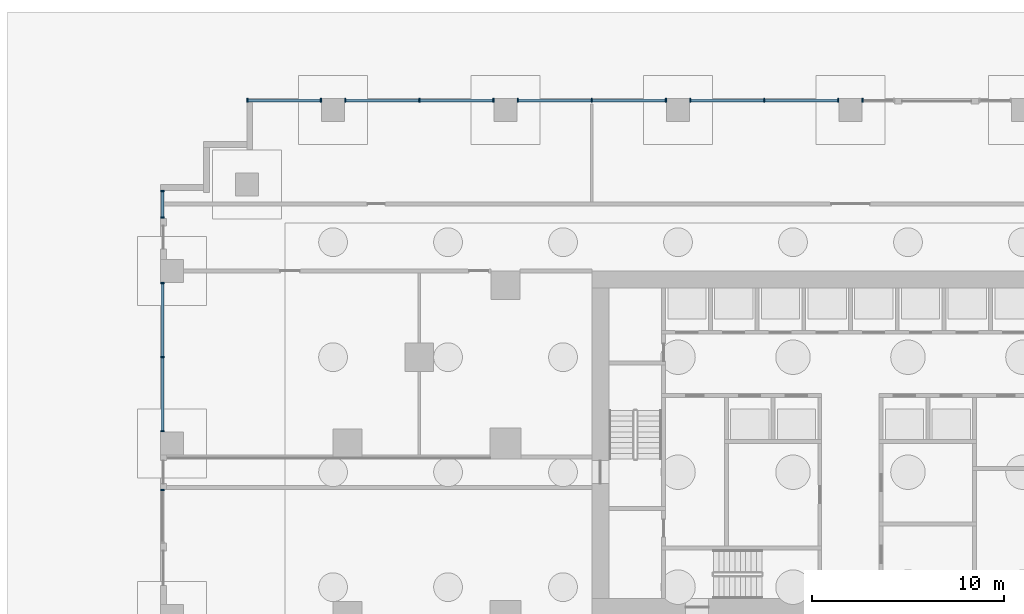
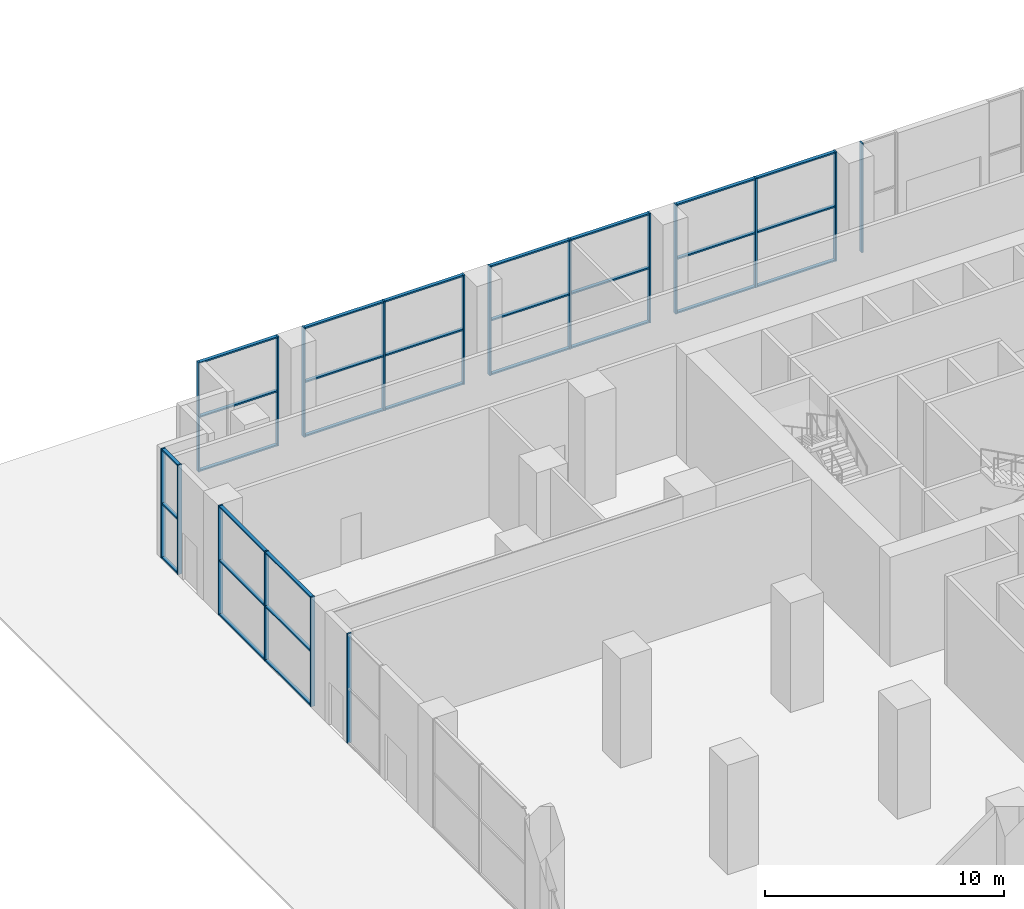
# One storey, part 7 of 20: 48 members, 8 elements without a shape of their own.
"""IFC4 building model written with IfcOpenShell, lengths in metres."""

from ifc_helpers import new_model, si_unit, direction, frame, origin, origin_2d, place, context, subcontext, project, spatial, rectangle, extrude, material, material_profile, profile_set, type_object, element, aggregate, save


model = new_model("IFC4")

# Units and contexts
model_context = context("Model", 3, precision=1e-05, world=origin(), true_north=direction((0.0, 1.0)))
body_context = subcontext(model_context, "Body", "Model", "MODEL_VIEW")
ifc_project = project(units=[si_unit("LENGTHUNIT", "METRE"), si_unit("AREAUNIT", "SQUARE_METRE"), si_unit("VOLUMEUNIT", "CUBIC_METRE"), si_unit("PLANEANGLEUNIT", "RADIAN"), si_unit("MASSUNIT", "GRAM", prefix="KILO")], contexts=[model_context])

# Site, building, storey
site_placement = place(None, origin())
site = spatial("IfcSite", under=ifc_project, at=site_placement, CompositionType="ELEMENT")
building_placement = place(site_placement, origin())
building = spatial("IfcBuilding", under=site, at=building_placement, Name="Orbiselva Terraces", CompositionType="ELEMENT")
storey_placement = place(building_placement, origin())
storey = spatial("IfcBuildingStorey", under=building, at=storey_placement, Name="L00", CompositionType="ELEMENT", Elevation=0.0)

# Curtain wall, member
ifc_material_1 = material(Name="Clear low-e glazing in aluminium frame", Category="aluminium")
curtain_wall_type = type_object("IfcCurtainWallType", Name="ENV-CW-LOBBY", PredefinedType="NOTDEFINED", material=ifc_material_1)
curtain_wall_1_placement = place(storey_placement, origin())
curtain_wall_1 = element("IfcCurtainWall", 1, at=curtain_wall_1_placement, inside=storey, type_object=curtain_wall_type, Name="Curtain wall L00 N", PredefinedType="NOTDEFINED")
ifc_material_2 = material(Name="Anodised aluminium", Category="aluminium")
ifc_material_profile_1 = material_profile(ifc_material_2, rectangle(XDim=0.2, YDim=0.075, at=origin_2d()), Name="AL 75x200")
ifc_profile_set_1 = profile_set([ifc_material_profile_1], Name="Anodised aluminium")
member_type_1 = type_object("IfcMemberType", Name="ENV-CW-LOBBY-MULLION-75x200", PredefinedType="MULLION", material=ifc_profile_set_1)
member_1_placement = place(storey_placement, frame((0.6375, 31.4, 0.0), z_axis=(0.0, 0.0, 1.0), x_axis=(0.0, -1.0, 0.0)))
member_1 = element("IfcMember", 2, at=member_1_placement, type_object=member_type_1, Name="CW1 mullion 2", PredefinedType="MULLION", context=body_context, shape_type="SweptSolid", body=[
    extrude(rectangle(XDim=0.2, YDim=0.075, at=origin_2d()), origin(), (0.0, 0.0, 1.0), 5.6),
])
aggregate(curtain_wall_1, [member_1])

# Curtain wall, members
curtain_wall_2_placement = place(storey_placement, origin())
curtain_wall_2 = element("IfcCurtainWall", 3, at=curtain_wall_2_placement, inside=storey, type_object=curtain_wall_type, Name="Curtain wall L00 N", PredefinedType="NOTDEFINED")
member_2_placement = place(storey_placement, frame((-0.6375, 31.4, 0.0), z_axis=(0.0, 0.0, 1.0), x_axis=(0.0, -1.0, 0.0)))
member_2 = element("IfcMember", 4, at=member_2_placement, type_object=member_type_1, Name="CW1 mullion 1", PredefinedType="MULLION", context=body_context, shape_type="SweptSolid", body=[
    extrude(rectangle(XDim=0.2, YDim=0.075, at=origin_2d()), origin(), (0.0, 0.0, 1.0), 5.6),
])
member_3_placement = place(storey_placement, frame((-4.5, 31.4, 0.0), z_axis=(0.0, 0.0, 1.0), x_axis=(0.0, -1.0, 0.0)))
member_3 = element("IfcMember", 5, at=member_3_placement, type_object=member_type_1, Name="CW1 mullion 2", PredefinedType="MULLION", context=body_context, shape_type="SweptSolid", body=[
    extrude(rectangle(XDim=0.2, YDim=0.075, at=origin_2d()), origin(), (0.0, 0.0, 1.0), 5.6),
])
member_4_placement = place(storey_placement, frame((-8.3625, 31.4, 0.0), z_axis=(0.0, 0.0, 1.0), x_axis=(0.0, -1.0, 0.0)))
member_4 = element("IfcMember", 6, at=member_4_placement, type_object=member_type_1, Name="CW1 mullion 3", PredefinedType="MULLION", context=body_context, shape_type="SweptSolid", body=[
    extrude(rectangle(XDim=0.2, YDim=0.075, at=origin_2d()), origin(), (0.0, 0.0, 1.0), 5.6),
])

curtain_wall_3_placement = place(storey_placement, origin())
curtain_wall_3 = element("IfcCurtainWall", 7, at=curtain_wall_3_placement, inside=storey, type_object=curtain_wall_type, Name="Curtain wall L00 N", PredefinedType="NOTDEFINED")
member_5_placement = place(storey_placement, frame((-9.6375, 31.4, 0.0), z_axis=(0.0, 0.0, 1.0), x_axis=(0.0, -1.0, 0.0)))
member_5 = element("IfcMember", 8, at=member_5_placement, type_object=member_type_1, Name="CW1 mullion 1", PredefinedType="MULLION", context=body_context, shape_type="SweptSolid", body=[
    extrude(rectangle(XDim=0.2, YDim=0.075, at=origin_2d()), origin(), (0.0, 0.0, 1.0), 5.6),
])
member_6_placement = place(storey_placement, frame((-13.5, 31.4, 0.0), z_axis=(0.0, 0.0, 1.0), x_axis=(0.0, -1.0, 0.0)))
member_6 = element("IfcMember", 9, at=member_6_placement, type_object=member_type_1, Name="CW1 mullion 2", PredefinedType="MULLION", context=body_context, shape_type="SweptSolid", body=[
    extrude(rectangle(XDim=0.2, YDim=0.075, at=origin_2d()), origin(), (0.0, 0.0, 1.0), 5.6),
])
member_7_placement = place(storey_placement, frame((-17.3625, 31.4, 0.0), z_axis=(0.0, 0.0, 1.0), x_axis=(0.0, -1.0, 0.0)))
member_7 = element("IfcMember", 10, at=member_7_placement, type_object=member_type_1, Name="CW1 mullion 3", PredefinedType="MULLION", context=body_context, shape_type="SweptSolid", body=[
    extrude(rectangle(XDim=0.2, YDim=0.075, at=origin_2d()), origin(), (0.0, 0.0, 1.0), 5.6),
])

curtain_wall_4_placement = place(storey_placement, origin())
curtain_wall_4 = element("IfcCurtainWall", 11, at=curtain_wall_4_placement, inside=storey, type_object=curtain_wall_type, Name="Curtain wall L00 N", PredefinedType="NOTDEFINED")
member_8_placement = place(storey_placement, frame((-18.6375, 31.4, 0.0), z_axis=(0.0, 0.0, 1.0), x_axis=(0.0, -1.0, 0.0)))
member_8 = element("IfcMember", 12, at=member_8_placement, type_object=member_type_1, Name="CW1 mullion 1", PredefinedType="MULLION", context=body_context, shape_type="SweptSolid", body=[
    extrude(rectangle(XDim=0.2, YDim=0.075, at=origin_2d()), origin(), (0.0, 0.0, 1.0), 5.6),
])
member_9_placement = place(storey_placement, frame((-22.5, 31.4, 0.0), z_axis=(0.0, 0.0, 1.0), x_axis=(0.0, -1.0, 0.0)))
member_9 = element("IfcMember", 13, at=member_9_placement, type_object=member_type_1, Name="CW1 mullion 2", PredefinedType="MULLION", context=body_context, shape_type="SweptSolid", body=[
    extrude(rectangle(XDim=0.2, YDim=0.075, at=origin_2d()), origin(), (0.0, 0.0, 1.0), 5.6),
])
member_10_placement = place(storey_placement, frame((-26.3625, 31.4, 0.0), z_axis=(0.0, 0.0, 1.0), x_axis=(0.0, -1.0, 0.0)))
member_10 = element("IfcMember", 14, at=member_10_placement, type_object=member_type_1, Name="CW1 mullion 3", PredefinedType="MULLION", context=body_context, shape_type="SweptSolid", body=[
    extrude(rectangle(XDim=0.2, YDim=0.075, at=origin_2d()), origin(), (0.0, 0.0, 1.0), 5.6),
])

curtain_wall_5_placement = place(storey_placement, origin())
curtain_wall_5 = element("IfcCurtainWall", 15, at=curtain_wall_5_placement, inside=storey, type_object=curtain_wall_type, Name="Curtain wall L00 N", PredefinedType="NOTDEFINED")
member_11_placement = place(storey_placement, frame((-27.6375, 31.4, 0.0), z_axis=(0.0, 0.0, 1.0), x_axis=(0.0, -1.0, 0.0)))
member_11 = element("IfcMember", 16, at=member_11_placement, type_object=member_type_1, Name="CW1 mullion 1", PredefinedType="MULLION", context=body_context, shape_type="SweptSolid", body=[
    extrude(rectangle(XDim=0.2, YDim=0.075, at=origin_2d()), origin(), (0.0, 0.0, 1.0), 5.6),
])
member_12_placement = place(storey_placement, frame((-31.4625, 31.4, 0.0), z_axis=(0.0, 0.0, 1.0), x_axis=(0.0, -1.0, 0.0)))
member_12 = element("IfcMember", 17, at=member_12_placement, type_object=member_type_1, Name="CW1 mullion 2", PredefinedType="MULLION", context=body_context, shape_type="SweptSolid", body=[
    extrude(rectangle(XDim=0.2, YDim=0.075, at=origin_2d()), origin(), (0.0, 0.0, 1.0), 5.6),
])

curtain_wall_6_placement = place(storey_placement, origin())
curtain_wall_6 = element("IfcCurtainWall", 18, at=curtain_wall_6_placement, inside=storey, type_object=curtain_wall_type, Name="Curtain wall L00 W", PredefinedType="NOTDEFINED")
member_13_placement = place(storey_placement, frame((-35.9, 26.6625, 0.0), z_axis=(0.0, 0.0, 1.0), x_axis=(1.0, 0.0, 0.0)))
member_13 = element("IfcMember", 19, at=member_13_placement, type_object=member_type_1, Name="CW1 mullion 1", PredefinedType="MULLION", context=body_context, shape_type="SweptSolid", body=[
    extrude(rectangle(XDim=0.2, YDim=0.075, at=origin_2d()), origin(), (0.0, 0.0, 1.0), 5.6),
])
member_14_placement = place(storey_placement, frame((-35.9, 25.2875, 0.0), z_axis=(0.0, 0.0, 1.0), x_axis=(1.0, 0.0, 0.0)))
member_14 = element("IfcMember", 20, at=member_14_placement, type_object=member_type_1, Name="CW1 mullion 2", PredefinedType="MULLION", context=body_context, shape_type="SweptSolid", body=[
    extrude(rectangle(XDim=0.2, YDim=0.075, at=origin_2d()), origin(), (0.0, 0.0, 1.0), 5.6),
])

curtain_wall_7_placement = place(storey_placement, origin())
curtain_wall_7 = element("IfcCurtainWall", 21, at=curtain_wall_7_placement, inside=storey, type_object=curtain_wall_type, Name="Curtain wall L00 W", PredefinedType="NOTDEFINED")
member_15_placement = place(storey_placement, frame((-35.9, 21.8625, 0.0), z_axis=(0.0, 0.0, 1.0), x_axis=(1.0, 0.0, 0.0)))
member_15 = element("IfcMember", 22, at=member_15_placement, type_object=member_type_1, Name="CW1 mullion 1", PredefinedType="MULLION", context=body_context, shape_type="SweptSolid", body=[
    extrude(rectangle(XDim=0.2, YDim=0.075, at=origin_2d()), origin(), (0.0, 0.0, 1.0), 5.6),
])
member_16_placement = place(storey_placement, frame((-35.9, 18.0, 0.0), z_axis=(0.0, 0.0, 1.0), x_axis=(1.0, 0.0, 0.0)))
member_16 = element("IfcMember", 23, at=member_16_placement, type_object=member_type_1, Name="CW1 mullion 2", PredefinedType="MULLION", context=body_context, shape_type="SweptSolid", body=[
    extrude(rectangle(XDim=0.2, YDim=0.075, at=origin_2d()), origin(), (0.0, 0.0, 1.0), 5.6),
])
member_17_placement = place(storey_placement, frame((-35.9, 14.1375, 0.0), z_axis=(0.0, 0.0, 1.0), x_axis=(1.0, 0.0, 0.0)))
member_17 = element("IfcMember", 24, at=member_17_placement, type_object=member_type_1, Name="CW1 mullion 3", PredefinedType="MULLION", context=body_context, shape_type="SweptSolid", body=[
    extrude(rectangle(XDim=0.2, YDim=0.075, at=origin_2d()), origin(), (0.0, 0.0, 1.0), 5.6),
])

# Curtain wall, member
curtain_wall_8_placement = place(storey_placement, origin())
curtain_wall_8 = element("IfcCurtainWall", 25, at=curtain_wall_8_placement, inside=storey, type_object=curtain_wall_type, Name="Curtain wall L00 W", PredefinedType="NOTDEFINED")
member_18_placement = place(storey_placement, frame((-35.9, 11.0625, 0.0), z_axis=(0.0, 0.0, 1.0), x_axis=(1.0, 0.0, 0.0)))
member_18 = element("IfcMember", 26, at=member_18_placement, type_object=member_type_1, Name="CW1 mullion 1", PredefinedType="MULLION", context=body_context, shape_type="SweptSolid", body=[
    extrude(rectangle(XDim=0.2, YDim=0.075, at=origin_2d()), origin(), (0.0, 0.0, 1.0), 5.6),
])
aggregate(curtain_wall_8, [member_18])

# Member
ifc_material_profile_2 = material_profile(ifc_material_2, rectangle(XDim=0.16, YDim=0.075, at=origin_2d()), Name="AL 75x160")
ifc_profile_set_2 = profile_set([ifc_material_profile_2], Name="Anodised aluminium")
member_type_2 = type_object("IfcMemberType", Name="ENV-CW-LOBBY-TRANSOM-75x160", PredefinedType="USERDEFINED", material=ifc_profile_set_2)
member_19_placement = place(storey_placement, frame((-0.675, 31.4, 0.0375), z_axis=(-1.0, 0.0, 0.0), x_axis=(0.0, -1.0, 0.0)))
member_19 = element("IfcMember", 27, at=member_19_placement, type_object=member_type_2, Name="CW1 transom 1.1", ObjectType="TRANSOM", PredefinedType="USERDEFINED", context=body_context, shape_type="SweptSolid", body=[
    extrude(rectangle(XDim=0.16, YDim=0.075, at=origin_2d()), origin(), (0.0, 0.0, 1.0), 3.7875),
])

member_20_placement = place(storey_placement, frame((-0.675, 31.4, 2.8), z_axis=(-1.0, 0.0, 0.0), x_axis=(0.0, -1.0, 0.0)))
member_20 = element("IfcMember", 28, at=member_20_placement, type_object=member_type_2, Name="CW1 transom 1.2", ObjectType="TRANSOM", PredefinedType="USERDEFINED", context=body_context, shape_type="SweptSolid", body=[
    extrude(rectangle(XDim=0.16, YDim=0.075, at=origin_2d()), origin(), (0.0, 0.0, 1.0), 3.7875),
])

member_21_placement = place(storey_placement, frame((-0.675, 31.4, 5.5625), z_axis=(-1.0, 0.0, 0.0), x_axis=(0.0, -1.0, 0.0)))
member_21 = element("IfcMember", 29, at=member_21_placement, type_object=member_type_2, Name="CW1 transom 1.3", ObjectType="TRANSOM", PredefinedType="USERDEFINED", context=body_context, shape_type="SweptSolid", body=[
    extrude(rectangle(XDim=0.16, YDim=0.075, at=origin_2d()), origin(), (0.0, 0.0, 1.0), 3.7875),
])

member_22_placement = place(storey_placement, frame((-4.5375, 31.4, 0.0375), z_axis=(-1.0, 0.0, 0.0), x_axis=(0.0, -1.0, 0.0)))
member_22 = element("IfcMember", 30, at=member_22_placement, type_object=member_type_2, Name="CW1 transom 2.1", ObjectType="TRANSOM", PredefinedType="USERDEFINED", context=body_context, shape_type="SweptSolid", body=[
    extrude(rectangle(XDim=0.16, YDim=0.075, at=origin_2d()), origin(), (0.0, 0.0, 1.0), 3.7875),
])

member_23_placement = place(storey_placement, frame((-4.5375, 31.4, 2.8), z_axis=(-1.0, 0.0, 0.0), x_axis=(0.0, -1.0, 0.0)))
member_23 = element("IfcMember", 31, at=member_23_placement, type_object=member_type_2, Name="CW1 transom 2.2", ObjectType="TRANSOM", PredefinedType="USERDEFINED", context=body_context, shape_type="SweptSolid", body=[
    extrude(rectangle(XDim=0.16, YDim=0.075, at=origin_2d()), origin(), (0.0, 0.0, 1.0), 3.7875),
])

member_24_placement = place(storey_placement, frame((-4.5375, 31.4, 5.5625), z_axis=(-1.0, 0.0, 0.0), x_axis=(0.0, -1.0, 0.0)))
member_24 = element("IfcMember", 32, at=member_24_placement, type_object=member_type_2, Name="CW1 transom 2.3", ObjectType="TRANSOM", PredefinedType="USERDEFINED", context=body_context, shape_type="SweptSolid", body=[
    extrude(rectangle(XDim=0.16, YDim=0.075, at=origin_2d()), origin(), (0.0, 0.0, 1.0), 3.7875),
])

aggregate(curtain_wall_2, [member_2, member_3, member_4, member_19, member_20, member_21, member_22, member_23, member_24])

member_25_placement = place(storey_placement, frame((-9.675, 31.4, 0.0375), z_axis=(-1.0, 0.0, 0.0), x_axis=(0.0, -1.0, 0.0)))
member_25 = element("IfcMember", 33, at=member_25_placement, type_object=member_type_2, Name="CW1 transom 1.1", ObjectType="TRANSOM", PredefinedType="USERDEFINED", context=body_context, shape_type="SweptSolid", body=[
    extrude(rectangle(XDim=0.16, YDim=0.075, at=origin_2d()), origin(), (0.0, 0.0, 1.0), 3.7875),
])

member_26_placement = place(storey_placement, frame((-9.675, 31.4, 2.8), z_axis=(-1.0, 0.0, 0.0), x_axis=(0.0, -1.0, 0.0)))
member_26 = element("IfcMember", 34, at=member_26_placement, type_object=member_type_2, Name="CW1 transom 1.2", ObjectType="TRANSOM", PredefinedType="USERDEFINED", context=body_context, shape_type="SweptSolid", body=[
    extrude(rectangle(XDim=0.16, YDim=0.075, at=origin_2d()), origin(), (0.0, 0.0, 1.0), 3.7875),
])

member_27_placement = place(storey_placement, frame((-9.675, 31.4, 5.5625), z_axis=(-1.0, 0.0, 0.0), x_axis=(0.0, -1.0, 0.0)))
member_27 = element("IfcMember", 35, at=member_27_placement, type_object=member_type_2, Name="CW1 transom 1.3", ObjectType="TRANSOM", PredefinedType="USERDEFINED", context=body_context, shape_type="SweptSolid", body=[
    extrude(rectangle(XDim=0.16, YDim=0.075, at=origin_2d()), origin(), (0.0, 0.0, 1.0), 3.7875),
])

member_28_placement = place(storey_placement, frame((-13.5375, 31.4, 0.0375), z_axis=(-1.0, 0.0, 0.0), x_axis=(0.0, -1.0, 0.0)))
member_28 = element("IfcMember", 36, at=member_28_placement, type_object=member_type_2, Name="CW1 transom 2.1", ObjectType="TRANSOM", PredefinedType="USERDEFINED", context=body_context, shape_type="SweptSolid", body=[
    extrude(rectangle(XDim=0.16, YDim=0.075, at=origin_2d()), origin(), (0.0, 0.0, 1.0), 3.7875),
])

member_29_placement = place(storey_placement, frame((-13.5375, 31.4, 2.8), z_axis=(-1.0, 0.0, 0.0), x_axis=(0.0, -1.0, 0.0)))
member_29 = element("IfcMember", 37, at=member_29_placement, type_object=member_type_2, Name="CW1 transom 2.2", ObjectType="TRANSOM", PredefinedType="USERDEFINED", context=body_context, shape_type="SweptSolid", body=[
    extrude(rectangle(XDim=0.16, YDim=0.075, at=origin_2d()), origin(), (0.0, 0.0, 1.0), 3.7875),
])

member_30_placement = place(storey_placement, frame((-13.5375, 31.4, 5.5625), z_axis=(-1.0, 0.0, 0.0), x_axis=(0.0, -1.0, 0.0)))
member_30 = element("IfcMember", 38, at=member_30_placement, type_object=member_type_2, Name="CW1 transom 2.3", ObjectType="TRANSOM", PredefinedType="USERDEFINED", context=body_context, shape_type="SweptSolid", body=[
    extrude(rectangle(XDim=0.16, YDim=0.075, at=origin_2d()), origin(), (0.0, 0.0, 1.0), 3.7875),
])

aggregate(curtain_wall_3, [member_5, member_6, member_7, member_25, member_26, member_27, member_28, member_29, member_30])

member_31_placement = place(storey_placement, frame((-18.675, 31.4, 0.0375), z_axis=(-1.0, 0.0, 0.0), x_axis=(0.0, -1.0, 0.0)))
member_31 = element("IfcMember", 39, at=member_31_placement, type_object=member_type_2, Name="CW1 transom 1.1", ObjectType="TRANSOM", PredefinedType="USERDEFINED", context=body_context, shape_type="SweptSolid", body=[
    extrude(rectangle(XDim=0.16, YDim=0.075, at=origin_2d()), origin(), (0.0, 0.0, 1.0), 3.7875),
])

member_32_placement = place(storey_placement, frame((-18.675, 31.4, 2.8), z_axis=(-1.0, 0.0, 0.0), x_axis=(0.0, -1.0, 0.0)))
member_32 = element("IfcMember", 40, at=member_32_placement, type_object=member_type_2, Name="CW1 transom 1.2", ObjectType="TRANSOM", PredefinedType="USERDEFINED", context=body_context, shape_type="SweptSolid", body=[
    extrude(rectangle(XDim=0.16, YDim=0.075, at=origin_2d()), origin(), (0.0, 0.0, 1.0), 3.7875),
])

member_33_placement = place(storey_placement, frame((-18.675, 31.4, 5.5625), z_axis=(-1.0, 0.0, 0.0), x_axis=(0.0, -1.0, 0.0)))
member_33 = element("IfcMember", 41, at=member_33_placement, type_object=member_type_2, Name="CW1 transom 1.3", ObjectType="TRANSOM", PredefinedType="USERDEFINED", context=body_context, shape_type="SweptSolid", body=[
    extrude(rectangle(XDim=0.16, YDim=0.075, at=origin_2d()), origin(), (0.0, 0.0, 1.0), 3.7875),
])

member_34_placement = place(storey_placement, frame((-22.5375, 31.4, 0.0375), z_axis=(-1.0, 0.0, 0.0), x_axis=(0.0, -1.0, 0.0)))
member_34 = element("IfcMember", 42, at=member_34_placement, type_object=member_type_2, Name="CW1 transom 2.1", ObjectType="TRANSOM", PredefinedType="USERDEFINED", context=body_context, shape_type="SweptSolid", body=[
    extrude(rectangle(XDim=0.16, YDim=0.075, at=origin_2d()), origin(), (0.0, 0.0, 1.0), 3.7875),
])

member_35_placement = place(storey_placement, frame((-22.5375, 31.4, 2.8), z_axis=(-1.0, 0.0, 0.0), x_axis=(0.0, -1.0, 0.0)))
member_35 = element("IfcMember", 43, at=member_35_placement, type_object=member_type_2, Name="CW1 transom 2.2", ObjectType="TRANSOM", PredefinedType="USERDEFINED", context=body_context, shape_type="SweptSolid", body=[
    extrude(rectangle(XDim=0.16, YDim=0.075, at=origin_2d()), origin(), (0.0, 0.0, 1.0), 3.7875),
])

member_36_placement = place(storey_placement, frame((-22.5375, 31.4, 5.5625), z_axis=(-1.0, 0.0, 0.0), x_axis=(0.0, -1.0, 0.0)))
member_36 = element("IfcMember", 44, at=member_36_placement, type_object=member_type_2, Name="CW1 transom 2.3", ObjectType="TRANSOM", PredefinedType="USERDEFINED", context=body_context, shape_type="SweptSolid", body=[
    extrude(rectangle(XDim=0.16, YDim=0.075, at=origin_2d()), origin(), (0.0, 0.0, 1.0), 3.7875),
])

aggregate(curtain_wall_4, [member_8, member_9, member_10, member_31, member_32, member_33, member_34, member_35, member_36])

member_37_placement = place(storey_placement, frame((-27.675, 31.4, 0.0375), z_axis=(-1.0, 0.0, 0.0), x_axis=(0.0, -1.0, 0.0)))
member_37 = element("IfcMember", 45, at=member_37_placement, type_object=member_type_2, Name="CW1 transom 1.1", ObjectType="TRANSOM", PredefinedType="USERDEFINED", context=body_context, shape_type="SweptSolid", body=[
    extrude(rectangle(XDim=0.16, YDim=0.075, at=origin_2d()), origin(), (0.0, 0.0, 1.0), 3.75),
])

member_38_placement = place(storey_placement, frame((-27.675, 31.4, 2.8), z_axis=(-1.0, 0.0, 0.0), x_axis=(0.0, -1.0, 0.0)))
member_38 = element("IfcMember", 46, at=member_38_placement, type_object=member_type_2, Name="CW1 transom 1.2", ObjectType="TRANSOM", PredefinedType="USERDEFINED", context=body_context, shape_type="SweptSolid", body=[
    extrude(rectangle(XDim=0.16, YDim=0.075, at=origin_2d()), origin(), (0.0, 0.0, 1.0), 3.75),
])

member_39_placement = place(storey_placement, frame((-27.675, 31.4, 5.5625), z_axis=(-1.0, 0.0, 0.0), x_axis=(0.0, -1.0, 0.0)))
member_39 = element("IfcMember", 47, at=member_39_placement, type_object=member_type_2, Name="CW1 transom 1.3", ObjectType="TRANSOM", PredefinedType="USERDEFINED", context=body_context, shape_type="SweptSolid", body=[
    extrude(rectangle(XDim=0.16, YDim=0.075, at=origin_2d()), origin(), (0.0, 0.0, 1.0), 3.75),
])

aggregate(curtain_wall_5, [member_11, member_12, member_37, member_38, member_39])

member_40_placement = place(storey_placement, frame((-35.9, 26.625, 0.0375), z_axis=(0.0, -1.0, 0.0), x_axis=(1.0, 0.0, 0.0)))
member_40 = element("IfcMember", 48, at=member_40_placement, type_object=member_type_2, Name="CW1 transom 1.1", ObjectType="TRANSOM", PredefinedType="USERDEFINED", context=body_context, shape_type="SweptSolid", body=[
    extrude(rectangle(XDim=0.16, YDim=0.075, at=origin_2d()), origin(), (0.0, 0.0, 1.0), 1.3),
])

member_41_placement = place(storey_placement, frame((-35.9, 26.625, 2.8), z_axis=(0.0, -1.0, 0.0), x_axis=(1.0, 0.0, 0.0)))
member_41 = element("IfcMember", 49, at=member_41_placement, type_object=member_type_2, Name="CW1 transom 1.2", ObjectType="TRANSOM", PredefinedType="USERDEFINED", context=body_context, shape_type="SweptSolid", body=[
    extrude(rectangle(XDim=0.16, YDim=0.075, at=origin_2d()), origin(), (0.0, 0.0, 1.0), 1.3),
])

member_42_placement = place(storey_placement, frame((-35.9, 26.625, 5.5625), z_axis=(0.0, -1.0, 0.0), x_axis=(1.0, 0.0, 0.0)))
member_42 = element("IfcMember", 50, at=member_42_placement, type_object=member_type_2, Name="CW1 transom 1.3", ObjectType="TRANSOM", PredefinedType="USERDEFINED", context=body_context, shape_type="SweptSolid", body=[
    extrude(rectangle(XDim=0.16, YDim=0.075, at=origin_2d()), origin(), (0.0, 0.0, 1.0), 1.3),
])

aggregate(curtain_wall_6, [member_13, member_14, member_40, member_41, member_42])

member_43_placement = place(storey_placement, frame((-35.9, 21.825, 0.0375), z_axis=(0.0, -1.0, 0.0), x_axis=(1.0, 0.0, 0.0)))
member_43 = element("IfcMember", 51, at=member_43_placement, type_object=member_type_2, Name="CW1 transom 1.1", ObjectType="TRANSOM", PredefinedType="USERDEFINED", context=body_context, shape_type="SweptSolid", body=[
    extrude(rectangle(XDim=0.16, YDim=0.075, at=origin_2d()), origin(), (0.0, 0.0, 1.0), 3.7875),
])

member_44_placement = place(storey_placement, frame((-35.9, 21.825, 2.8), z_axis=(0.0, -1.0, 0.0), x_axis=(1.0, 0.0, 0.0)))
member_44 = element("IfcMember", 52, at=member_44_placement, type_object=member_type_2, Name="CW1 transom 1.2", ObjectType="TRANSOM", PredefinedType="USERDEFINED", context=body_context, shape_type="SweptSolid", body=[
    extrude(rectangle(XDim=0.16, YDim=0.075, at=origin_2d()), origin(), (0.0, 0.0, 1.0), 3.7875),
])

member_45_placement = place(storey_placement, frame((-35.9, 21.825, 5.5625), z_axis=(0.0, -1.0, 0.0), x_axis=(1.0, 0.0, 0.0)))
member_45 = element("IfcMember", 53, at=member_45_placement, type_object=member_type_2, Name="CW1 transom 1.3", ObjectType="TRANSOM", PredefinedType="USERDEFINED", context=body_context, shape_type="SweptSolid", body=[
    extrude(rectangle(XDim=0.16, YDim=0.075, at=origin_2d()), origin(), (0.0, 0.0, 1.0), 3.7875),
])

member_46_placement = place(storey_placement, frame((-35.9, 17.9625, 0.0375), z_axis=(0.0, -1.0, 0.0), x_axis=(1.0, 0.0, 0.0)))
member_46 = element("IfcMember", 54, at=member_46_placement, type_object=member_type_2, Name="CW1 transom 2.1", ObjectType="TRANSOM", PredefinedType="USERDEFINED", context=body_context, shape_type="SweptSolid", body=[
    extrude(rectangle(XDim=0.16, YDim=0.075, at=origin_2d()), origin(), (0.0, 0.0, 1.0), 3.7875),
])

member_47_placement = place(storey_placement, frame((-35.9, 17.9625, 2.8), z_axis=(0.0, -1.0, 0.0), x_axis=(1.0, 0.0, 0.0)))
member_47 = element("IfcMember", 55, at=member_47_placement, type_object=member_type_2, Name="CW1 transom 2.2", ObjectType="TRANSOM", PredefinedType="USERDEFINED", context=body_context, shape_type="SweptSolid", body=[
    extrude(rectangle(XDim=0.16, YDim=0.075, at=origin_2d()), origin(), (0.0, 0.0, 1.0), 3.7875),
])

member_48_placement = place(storey_placement, frame((-35.9, 17.9625, 5.5625), z_axis=(0.0, -1.0, 0.0), x_axis=(1.0, 0.0, 0.0)))
member_48 = element("IfcMember", 56, at=member_48_placement, type_object=member_type_2, Name="CW1 transom 2.3", ObjectType="TRANSOM", PredefinedType="USERDEFINED", context=body_context, shape_type="SweptSolid", body=[
    extrude(rectangle(XDim=0.16, YDim=0.075, at=origin_2d()), origin(), (0.0, 0.0, 1.0), 3.7875),
])

aggregate(curtain_wall_7, [member_15, member_16, member_17, member_43, member_44, member_45, member_46, member_47, member_48])

save(model, "model.ifc")
